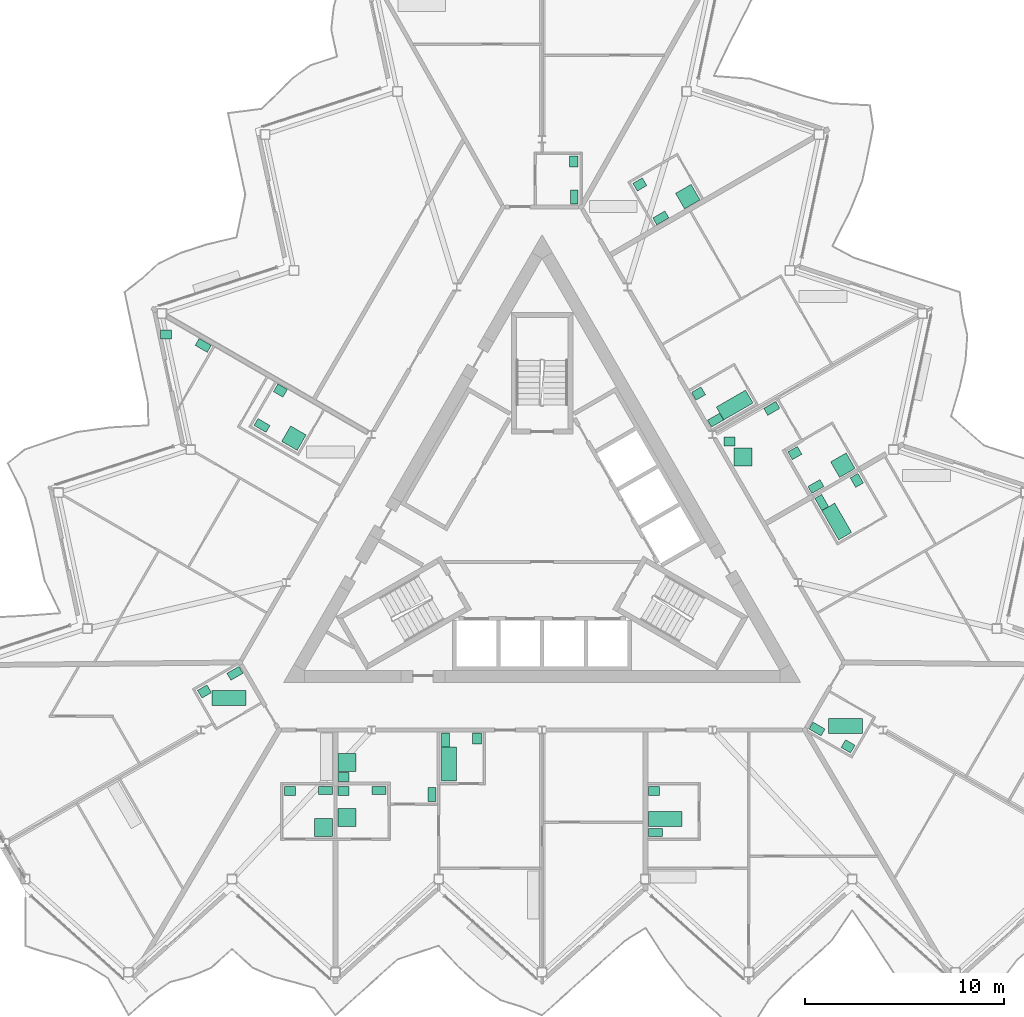
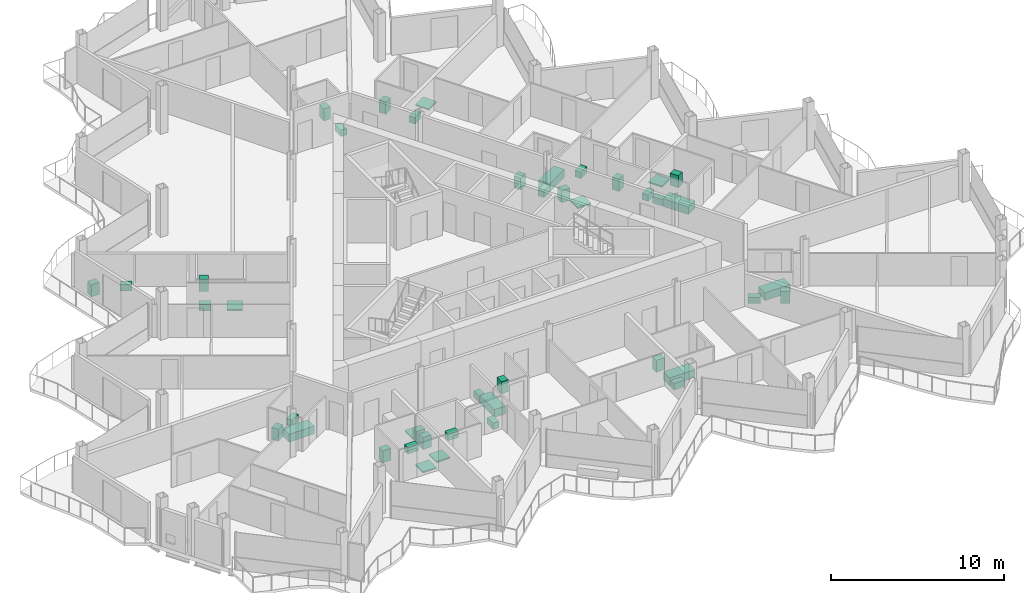
# One storey, part 25 of 26: 43 sanitary terminals.
"""IFC4 building model written with IfcOpenShell, lengths in metres."""

from ifc_helpers import new_model, si_unit, direction, frame, origin, origin_2d, place, context, subcontext, project, spatial, rectangle, extrude, material, type_object, element, save


model = new_model("IFC4")

# Units and contexts
model_context = context("Model", 3, precision=1e-05, world=origin(), true_north=direction((0.0, 1.0)))
body_context = subcontext(model_context, "Body", "Model", "MODEL_VIEW")
ifc_project = project(units=[si_unit("LENGTHUNIT", "METRE"), si_unit("AREAUNIT", "SQUARE_METRE"), si_unit("VOLUMEUNIT", "CUBIC_METRE"), si_unit("PLANEANGLEUNIT", "RADIAN"), si_unit("MASSUNIT", "GRAM", prefix="KILO")], contexts=[model_context])

# Site, building, storey
site_placement = place(None, origin())
site = spatial("IfcSite", under=ifc_project, at=site_placement, CompositionType="ELEMENT")
building_placement = place(site_placement, origin())
building = spatial("IfcBuilding", under=site, at=building_placement, Name="Cormorant Prow Tower", CompositionType="ELEMENT")
storey_placement = place(building_placement, frame((0.0, 0.0, 378.0)))
storey = spatial("IfcBuildingStorey", under=building, at=storey_placement, Name="L85", CompositionType="ELEMENT", Elevation=378.0)

# Sanitary terminals
ifc_material_1 = material(Name="Vitreous china")
sanitary_terminal_type_1 = type_object("IfcSanitaryTerminalType", Name="Bath 1700x750", PredefinedType="BATH", material=ifc_material_1)
for number, where, z_axis, x_axis, name in (
    (1, (-4.679931640625, -11.610595703125, 0.0), (0.0, 0.0, 1.0), (0.0, 1.0, 0.0), "Bath"),
    (2, (6.195068359375, -14.385498046875, 0.0), (0.0, 0.0, 1.0), (1.0, 0.0, 0.0), "Bath"),
    (3, (15.260498046875, -9.70068359375, 0.0), (0.0, 0.0, 1.0), (1.0, 0.0, 0.0), "Bath"),
    (4, (14.819580078125, 0.5830078125, 0.0), (0.0, 0.0, 1.0), (-0.5, 0.866025403784, 0.0), "Bath"),
    (5, (9.68701171875, 6.442626953125, 0.0), (0.0, 0.0, 1.0), (-0.866025403784, -0.5, 0.0), "Bath"),
    (6, (-15.75244140625, -8.29248046875, 0.0), (0.0, 0.0, 1.0), (1.0, 0.0, 0.0), "Bath"),
):
    element("IfcSanitaryTerminal", number, at=place(storey_placement, frame(where, z_axis=z_axis, x_axis=x_axis)), inside=storey, type_object=sanitary_terminal_type_1, Name=name, PredefinedType="BATH", context=body_context, shape_type="SweptSolid", body=[
        extrude(rectangle(XDim=1.699951171875, YDim=0.75, at=origin_2d()), origin(), (0.0, 0.0, 1.0), 0.550048828125),
    ])
ifc_material_2 = material(Name="Vitreous china")
sanitary_terminal_type_2 = type_object("IfcSanitaryTerminalType", Name="Shower tray 900x900", PredefinedType="SHOWER", material=ifc_material_2)
for number, where, z_axis, x_axis, name in (
    (7, (-10.9951171875, -14.810546875, 0.0), (0.0, 0.0, 1.0), (-1.0, 0.0, 0.0), "Shower tray"),
    (8, (-9.804931640625, -14.310546875, 0.0), (0.0, 0.0, 1.0), (1.0, 0.0, 0.0), "Shower tray"),
    (9, (-9.804931640625, -11.5419921875, 0.0), (0.0, 0.0, 1.0), (1.0, 0.0, 0.0), "Shower tray"),
    (10, (15.12890625, 3.417236328125, 0.0), (0.0, 0.0, 1.0), (-0.866025403784, -0.5, 0.0), "Shower tray"),
    (11, (10.109130859375, 3.8291015625, 0.0), (0.0, 0.0, 1.0), (1.0, 0.0, 0.0), "Shower tray"),
    (12, (7.328857421875, 16.92724609375, 0.0), (0.0, 0.0, 1.0), (-0.866025403784, -0.5, 0.0), "Shower tray"),
    (13, (-12.484619140625, 4.77734375, 0.0), (0.0, 0.0, 1.0), (-0.866025403784, 0.5, 0.0), "Shower tray"),
):
    element("IfcSanitaryTerminal", number, at=place(storey_placement, frame(where, z_axis=z_axis, x_axis=x_axis)), inside=storey, type_object=sanitary_terminal_type_2, Name=name, PredefinedType="SHOWER", context=body_context, shape_type="SweptSolid", body=[
        extrude(rectangle(XDim=0.89990234375, YDim=0.89990234375, at=origin_2d()), origin(), (0.0, 0.0, 1.0), 0.10009765625),
    ])
ifc_material_3 = material(Name="Vitreous china")
sanitary_terminal_type_3 = type_object("IfcSanitaryTerminalType", Name="Wash basin 550x450", PredefinedType="WASHHANDBASIN", material=ifc_material_3)
for number, where, z_axis, x_axis, name in (
    (14, (-12.679931640625, -12.9755859375, 0.0), (0.0, 0.0, 1.0), (1.0, 0.0, 0.0), "Wash basin"),
    (15, (-3.27001953125, -10.32568359375, 0.0), (0.0, 0.0, 1.0), (0.0, -1.0, 0.0), "Wash basin"),
    (16, (-9.97998046875, -12.9755859375, 0.0), (0.0, 0.0, 1.0), (1.0, 0.0, 0.0), "Wash basin"),
    (17, (-9.97998046875, -12.26708984375, 0.0), (0.0, 0.0, 1.0), (1.0, 0.0, 0.0), "Wash basin"),
    (18, (5.6201171875, -12.9755859375, 0.0), (0.0, 0.0, 1.0), (1.0, 0.0, 0.0), "Wash basin"),
    (19, (15.390380859375, -10.72509765625, 0.0), (0.0, 0.0, 1.0), (-0.866025403784, 0.5, 0.0), "Wash basin"),
    (20, (15.831298828125, 2.650634765625, 0.0), (0.0, 0.0, 1.0), (0.5, -0.866025403784, 0.0), "Wash basin"),
    (21, (7.869140625, 7.021240234375, 0.0), (0.0, 0.0, 1.0), (0.866025403784, 0.5, 0.0), "Wash basin"),
    (22, (12.715576171875, 4.02734375, 0.0), (0.0, 0.0, 1.0), (0.866025403784, 0.5, 0.0), "Wash basin"),
    (23, (9.43408203125, 4.604248046875, 0.0), (0.0, 0.0, 1.0), (1.0, 0.0, 0.0), "Wash basin"),
    (24, (4.91552734375, 17.537353515625, 0.0), (0.0, 0.0, 1.0), (0.866025403784, 0.5, 0.0), "Wash basin"),
    (25, (1.593017578125, 18.691162109375, 0.0), (0.0, 0.0, 1.0), (0.0, -1.0, 0.0), "Wash basin"),
    (26, (-18.916748046875, 9.997314453125, 0.0), (0.0, 0.0, 1.0), (1.0, 0.0, 0.0), "Wash basin"),
    (27, (-13.162841796875, 7.17236328125, 0.0), (0.0, 0.0, 1.0), (0.866025403784, -0.5, 0.0), "Wash basin"),
    (28, (-16.9833984375, -7.9658203125, 0.0), (0.0, 0.0, 1.0), (0.866025403784, 0.5, 0.0), "Wash basin"),
):
    element("IfcSanitaryTerminal", number, at=place(storey_placement, frame(where, z_axis=z_axis, x_axis=x_axis)), inside=storey, type_object=sanitary_terminal_type_3, Name=name, PredefinedType="WASHHANDBASIN", context=body_context, shape_type="SweptSolid", body=[
        extrude(rectangle(XDim=0.550048828125, YDim=0.449951171875, at=origin_2d()), origin(), (0.0, 0.0, 1.0), 0.85009765625),
    ])
ifc_material_4 = material(Name="Vitreous china")
sanitary_terminal_type_4 = type_object("IfcSanitaryTerminalType", Name="Water closet 400x700", PredefinedType="WCSEAT", material=ifc_material_4)
for number, where, z_axis, x_axis, name in (
    (29, (-10.89501953125, -12.95068359375, 0.0), (0.0, 0.0, 1.0), (0.0, -1.0, 0.0), "Water closet"),
    (30, (-4.85498046875, -10.400634765625, 0.0), (0.0, 0.0, 1.0), (1.0, 0.0, 0.0), "Water closet"),
    (31, (-8.195068359375, -12.95068359375, 0.0), (0.0, 0.0, 1.0), (0.0, -1.0, 0.0), "Water closet"),
    (32, (-5.544921875, -13.14208984375, 0.0), (0.0, 0.0, 1.0), (-1.0, 0.0, 0.0), "Water closet"),
    (33, (5.695068359375, -15.060546875, 0.0), (0.0, 0.0, 1.0), (0.0, 1.0, 0.0), "Water closet"),
    (34, (13.83203125, -9.854248046875, 0.0), (0.0, 0.0, 1.0), (0.5, 0.866025403784, 0.0), "Water closet"),
    (35, (14.06298828125, 1.543212890625, 0.0), (0.0, 0.0, 1.0), (0.866025403784, 0.5, 0.0), "Water closet"),
    (36, (8.726806640625, 5.68603515625, 0.0), (0.0, 0.0, 1.0), (-0.5, 0.866025403784, 0.0), "Water closet"),
    (37, (13.77294921875, 2.345703125, 0.0), (0.0, 0.0, 1.0), (-0.5, 0.866025403784, 0.0), "Water closet"),
    (38, (11.553955078125, 6.272216796875, 0.0), (0.0, 0.0, 1.0), (0.5, -0.866025403784, 0.0), "Water closet"),
    (39, (5.972900390625, 15.855712890625, 0.0), (0.0, 0.0, 1.0), (-0.5, 0.866025403784, 0.0), "Water closet"),
    (40, (1.617919921875, 16.906005859375, 0.0), (0.0, 0.0, 1.0), (-1.0, 0.0, 0.0), "Water closet"),
    (41, (-17.047607421875, 9.444091796875, 0.0), (0.0, 0.0, 1.0), (-0.5, -0.866025403784, 0.0), "Water closet"),
    (42, (-14.09033203125, 5.415771484375, 0.0), (0.0, 0.0, 1.0), (0.5, 0.866025403784, 0.0), "Water closet"),
    (43, (-15.4501953125, -7.0517578125, 0.0), (0.0, 0.0, 1.0), (0.5, -0.866025403784, 0.0), "Water closet"),
):
    element("IfcSanitaryTerminal", number, at=place(storey_placement, frame(where, z_axis=z_axis, x_axis=x_axis)), inside=storey, type_object=sanitary_terminal_type_4, Name=name, PredefinedType="WCSEAT", context=body_context, shape_type="SweptSolid", body=[
        extrude(rectangle(XDim=0.39990234375, YDim=0.699951171875, at=origin_2d()), origin(), (0.0, 0.0, 1.0), 0.449951171875),
    ])

save(model, "model.ifc")
